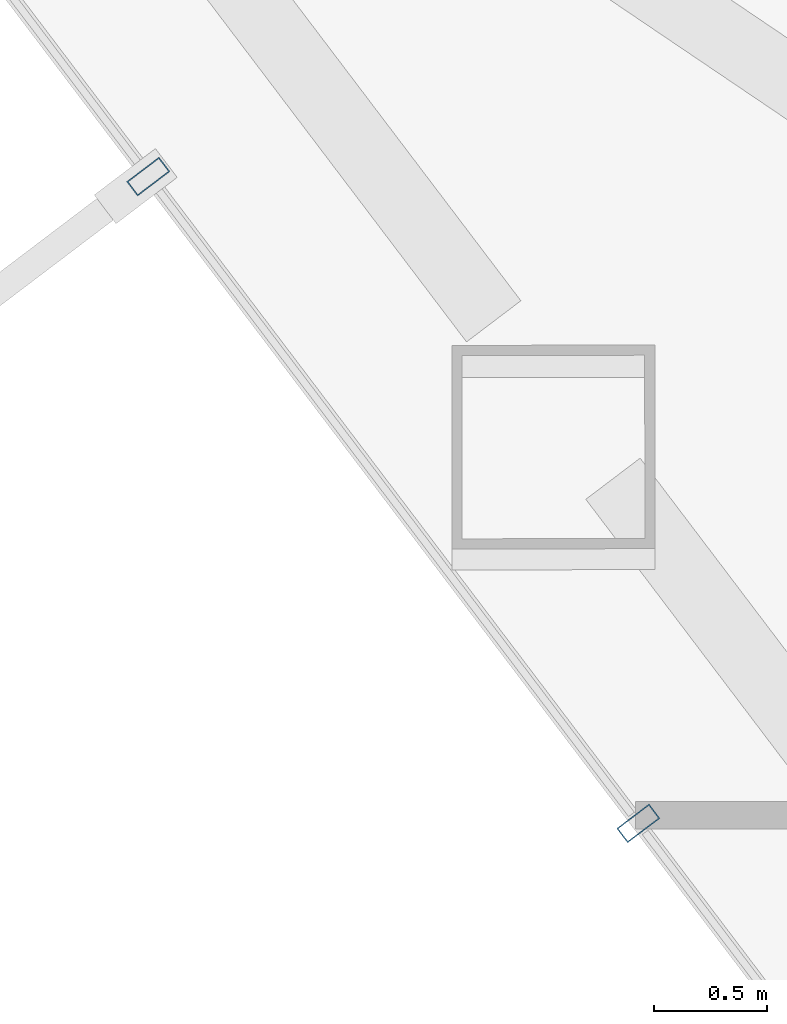
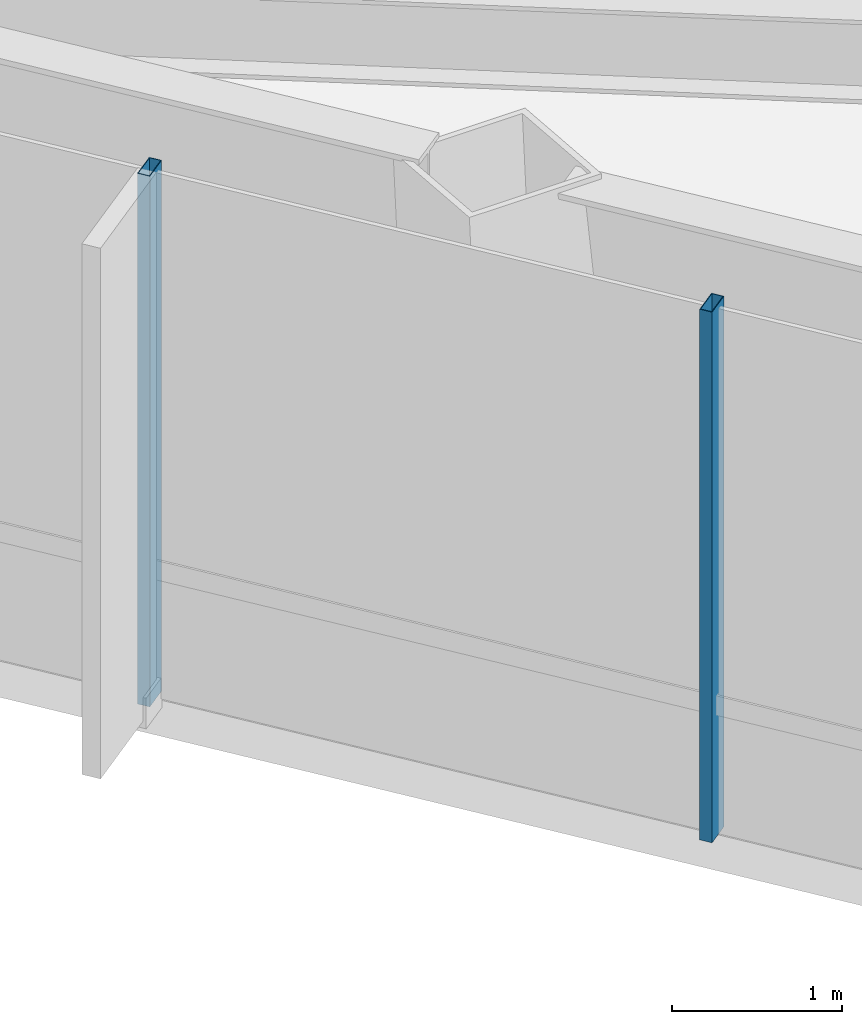
# One storey, part 4 of 26: 2 members, 1 element without a shape of its own.
"""IFC4 building model written with IfcOpenShell, lengths in metres."""

from ifc_helpers import new_model, si_unit, direction, frame, origin, origin_2d, place, context, subcontext, project, spatial, hollow_rectangle, extrude, material, layer, layer_set, material_profile, profile_set, type_object, element, aggregate, save


model = new_model("IFC4")

# Units and contexts
model_context = context("Model", 3, precision=1e-05, world=origin(), true_north=direction((0.0, 1.0)))
body_context = subcontext(model_context, "Body", "Model", "MODEL_VIEW")
ifc_project = project(units=[si_unit("LENGTHUNIT", "METRE"), si_unit("AREAUNIT", "SQUARE_METRE"), si_unit("VOLUMEUNIT", "CUBIC_METRE"), si_unit("PLANEANGLEUNIT", "RADIAN"), si_unit("MASSUNIT", "GRAM", prefix="KILO")], contexts=[model_context])

# Site, building, storey
site_placement = place(None, origin())
site = spatial("IfcSite", under=ifc_project, at=site_placement, CompositionType="ELEMENT")
building_placement = place(site_placement, origin())
building = spatial("IfcBuilding", under=site, at=building_placement, Name="Zarrinselat Tower", CompositionType="ELEMENT")
storey_placement = place(building_placement, frame((0.0, 0.0, 92.820068359375)))
storey = spatial("IfcBuildingStorey", under=building, at=storey_placement, Name="L22", CompositionType="ELEMENT", Elevation=92.820068359375)

# Curtain wall, members
ifc_material_1 = material(Name="Extruded Aluminium Alloy EN AW-6063 T6", Category="aluminium")
ifc_layer = layer(ifc_material_1, 0.18505859375)
ifc_layer_set = layer_set([ifc_layer], Name="Extruded Aluminium Alloy EN AW-6063 T6")
curtain_wall_type = type_object("IfcCurtainWallType", Name="CWS-OFF", PredefinedType="NOTDEFINED", material=ifc_layer_set)
curtain_wall_placement = place(storey_placement, origin())
curtain_wall = element("IfcCurtainWall", 1, at=curtain_wall_placement, inside=storey, type_object=curtain_wall_type, Name="L22 Unitised Curtain Wall CW-L22-E03", PredefinedType="NOTDEFINED")
ifc_material_2 = material(Name="Extruded Aluminium Alloy EN AW-6063 T6", Category="aluminium")
ifc_material_profile = material_profile(ifc_material_2, hollow_rectangle(XDim=0.080078125, YDim=0.179931640625, WallThickness=0.0048828125, at=origin_2d()), Name="RHS 180x80x5")
ifc_profile_set = profile_set([ifc_material_profile], Name="Extruded Aluminium Alloy EN AW-6063 T6")
member_type = type_object("IfcMemberType", Name="MEM-CW-MUL", PredefinedType="MULLION", material=ifc_profile_set)
member_1_placement = place(storey_placement, frame((17.555419921875, 33.031494140625, 0.0), z_axis=(0.0, 0.0, 1.0), x_axis=(0.603856459269, -0.797093079006, 0.0)))
member_1 = element("IfcMember", 2, at=member_1_placement, type_object=member_type, Name="CW-L22-E03 Mullion 1", PredefinedType="MULLION", context=body_context, shape_type="SweptSolid", body=[
    extrude(hollow_rectangle(XDim=0.080078125, YDim=0.179931640625, WallThickness=0.0048828125, at=origin_2d()), origin(), (0.0, 0.0, 1.0), 3.81982421875),
])
member_2_placement = place(storey_placement, frame((19.72802734375, 30.163818359375, 0.0), z_axis=(0.0, 0.0, 1.0), x_axis=(0.603856459269, -0.797093079006, 0.0)))
member_2 = element("IfcMember", 3, at=member_2_placement, type_object=member_type, Name="CW-L22-E03 Mullion 2", PredefinedType="MULLION", context=body_context, shape_type="SweptSolid", body=[
    extrude(hollow_rectangle(XDim=0.080078125, YDim=0.179931640625, WallThickness=0.0048828125, at=origin_2d()), origin(), (0.0, 0.0, 1.0), 3.81982421875),
])
aggregate(curtain_wall, [member_1, member_2])

save(model, "model.ifc")
